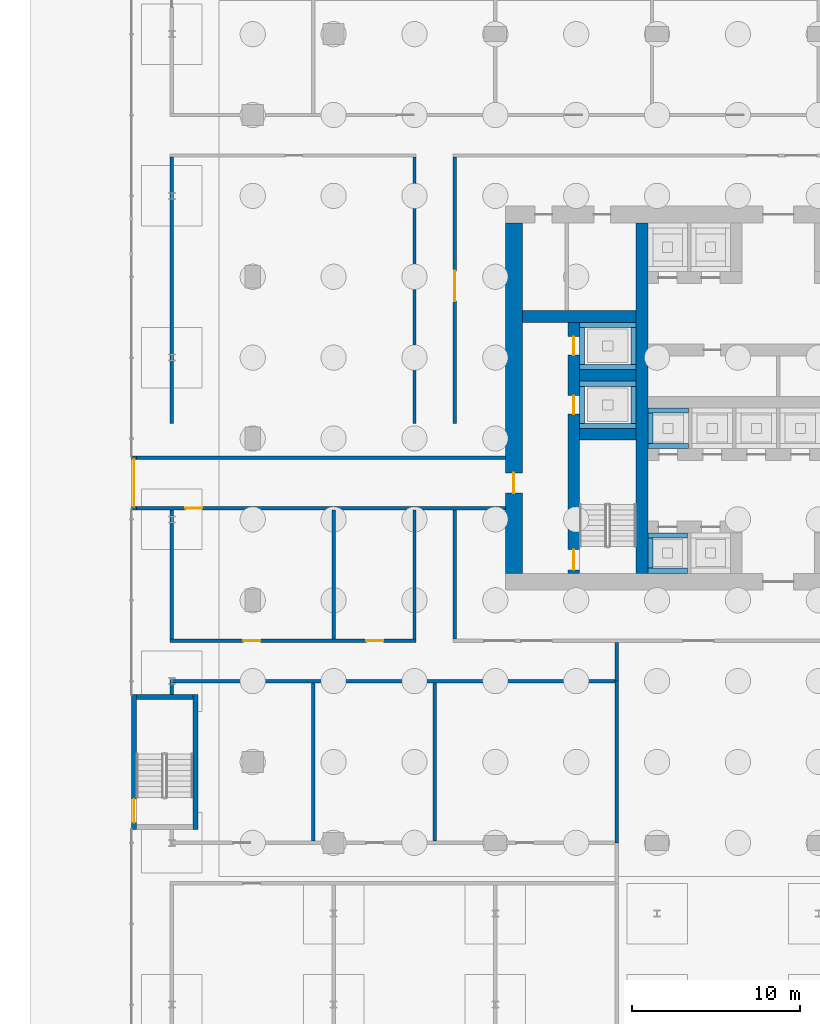
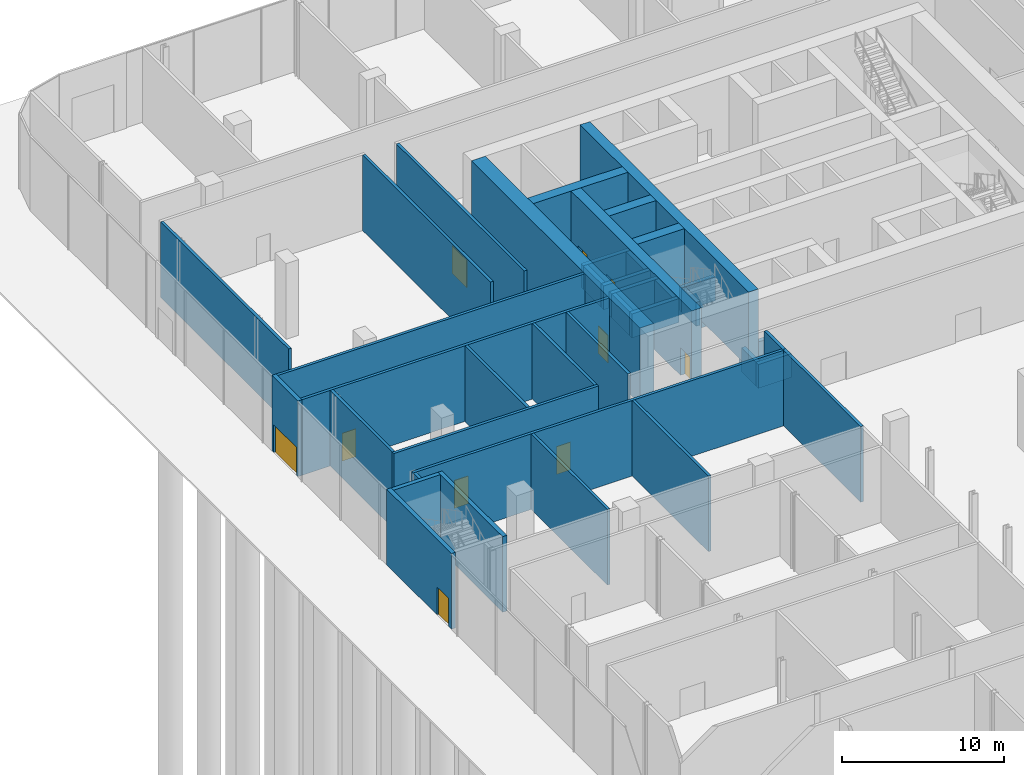
# One storey, part 32 of 44: 40 walls, 10 doors, 10 openings.
"""IFC4 building model written with IfcOpenShell, lengths in metres."""

from ifc_helpers import new_model, si_unit, direction, frame, frame_2d, origin, place, context, subcontext, project, spatial, rectangle, extrude, material, layer, layer_set, type_object, element, fill, save


model = new_model("IFC4")

# Units and contexts
model_context = context("Model", 3, precision=1e-05, world=origin(), true_north=direction((0.0, 1.0)))
body_context = subcontext(model_context, "Body", "Model", "MODEL_VIEW")
ifc_project = project(units=[si_unit("LENGTHUNIT", "METRE"), si_unit("AREAUNIT", "SQUARE_METRE"), si_unit("VOLUMEUNIT", "CUBIC_METRE"), si_unit("PLANEANGLEUNIT", "RADIAN"), si_unit("MASSUNIT", "GRAM", prefix="KILO")], contexts=[model_context])

# Site, building, storey
site_placement = place(None, origin())
site = spatial("IfcSite", under=ifc_project, at=site_placement, CompositionType="ELEMENT")
building_placement = place(site_placement, origin())
building = spatial("IfcBuilding", under=site, at=building_placement, Name="Madar Terraces", CompositionType="ELEMENT")
storey_placement = place(building_placement, origin())
storey = spatial("IfcBuildingStorey", under=building, at=storey_placement, Name="L00", CompositionType="ELEMENT", Elevation=0.0)

# Wall, openings, doors
ifc_material_1 = material(Name="Concrete C80/95", Category="concrete")
ifc_layer_1 = layer(ifc_material_1, 0.699951171875)
ifc_layer_set_1 = layer_set([ifc_layer_1], Name="Concrete C80/95 (CIW1 RC wall 700)")
wall_type_1 = type_object("IfcWallType", Name="CIW1 RC wall 700", PredefinedType="SHEAR", material=ifc_layer_set_1)
wall_1_placement = place(storey_placement, frame((19.050048828125, 16.0, 0.0), z_axis=(0.0, 0.0, 1.0), x_axis=(0.0, 1.0, 0.0)))
wall_1 = element("IfcWall", 1, at=wall_1_placement, inside=storey, type_object=wall_type_1, Name="CORE SHAFT WALL", PredefinedType="SHEAR", context=body_context, shape_type="SweptSolid", body=[
    extrude(rectangle(XDim=14.89990234375, YDim=0.699951171875, at=frame_2d((7.449951171875, 0.0))), origin(), (0.0, 0.0, 1.0), 5.699951171875),
])
opening_1_placement = place(wall_1_placement, frame((9.449951171875, 0.0, 0.0)))
opening_1 = element("IfcOpeningElement", 2, at=opening_1_placement, cuts=wall_1, Name="Opening LD", PredefinedType="OPENING", context=body_context, shape_type="SweptSolid", body=[
    extrude(rectangle(XDim=1.10009765625, YDim=2.10009765625, at=frame_2d((0.550048828125, 1.050048828125))), frame((0.0, 0.35986328125, 0.0), z_axis=(0.0, -1.0, 0.0), x_axis=(1.0, 0.0, 0.0)), (0.0, 0.0, 1.0), 0.719970703125),
])
opening_2_placement = place(wall_1_placement, frame((12.949951171875, 0.0, 0.0)))
opening_2 = element("IfcOpeningElement", 3, at=opening_2_placement, cuts=wall_1, Name="Opening LD", PredefinedType="OPENING", context=body_context, shape_type="SweptSolid", body=[
    extrude(rectangle(XDim=1.10009765625, YDim=2.10009765625, at=frame_2d((0.550048828125, 1.050048828125))), frame((0.0, 0.35986328125, 0.0), z_axis=(0.0, -1.0, 0.0), x_axis=(1.0, 0.0, 0.0)), (0.0, 0.0, 1.0), 0.719970703125),
])
opening_3_placement = place(wall_1_placement, frame((0.199951171875, 0.0, 0.0)))
opening_3 = element("IfcOpeningElement", 4, at=opening_3_placement, cuts=wall_1, Name="Opening SD1", PredefinedType="OPENING", context=body_context, shape_type="SweptSolid", body=[
    extrude(rectangle(XDim=1.199951171875, YDim=2.10009765625, at=frame_2d((0.60009765625, 1.050048828125))), frame((0.0, 0.35986328125, 0.0), z_axis=(0.0, -1.0, 0.0), x_axis=(1.0, 0.0, 0.0)), (0.0, 0.0, 1.0), 0.719970703125),
])
ifc_material_2 = material(Name="Stainless steel panel", Category="steel")
door_type_1 = type_object("IfcDoorType", Name="Lift landing door 1100 x 2100", OperationType="DOUBLE_DOOR_SLIDING", PredefinedType="DOOR", material=ifc_material_2)
door_1_placement = place(opening_1_placement, origin())
door_1 = element("IfcDoor", 5, at=door_1_placement, inside=storey, type_object=door_type_1, Name="LIFT LANDING DOOR", OperationType="DOUBLE_DOOR_SLIDING", OverallHeight=2.10009765625, OverallWidth=1.10009765625, PredefinedType="DOOR", context=body_context, shape_type="SweptSolid", body=[
    extrude(rectangle(XDim=1.10009765625, YDim=2.10009765625, at=frame_2d((0.550048828125, 1.050048828125))), frame((0.0, 0.02490234375, 0.0), z_axis=(0.0, -1.0, 0.0), x_axis=(1.0, 0.0, 0.0)), (0.0, 0.0, 1.0), 0.050048828125),
])
fill(opening_1, door_1)
door_2_placement = place(opening_2_placement, origin())
door_2 = element("IfcDoor", 6, at=door_2_placement, inside=storey, type_object=door_type_1, Name="LIFT LANDING DOOR", OperationType="DOUBLE_DOOR_SLIDING", OverallHeight=2.10009765625, OverallWidth=1.10009765625, PredefinedType="DOOR", context=body_context, shape_type="SweptSolid", body=[
    extrude(rectangle(XDim=1.10009765625, YDim=2.10009765625, at=frame_2d((0.550048828125, 1.050048828125))), frame((0.0, 0.02490234375, 0.0), z_axis=(0.0, -1.0, 0.0), x_axis=(1.0, 0.0, 0.0)), (0.0, 0.0, 1.0), 0.050048828125),
])
fill(opening_2, door_2)
ifc_material_3 = material(Name="Steel door leaf", Category="steel")
door_type_2 = type_object("IfcDoorType", Name="Stair door 1200 x 2100", OperationType="NOTDEFINED", PredefinedType="DOOR", material=ifc_material_3)
door_3_placement = place(opening_3_placement, origin())
door_3 = element("IfcDoor", 7, at=door_3_placement, inside=storey, type_object=door_type_2, Name="STAIR DOOR", OperationType="SINGLE_SWING_RIGHT", OverallHeight=2.10009765625, OverallWidth=1.199951171875, PredefinedType="DOOR", context=body_context, shape_type="SweptSolid", body=[
    extrude(rectangle(XDim=1.199951171875, YDim=2.10009765625, at=frame_2d((0.60009765625, 1.050048828125))), frame((0.0, 0.02490234375, 0.0), z_axis=(0.0, -1.0, 0.0), x_axis=(1.0, 0.0, 0.0)), (0.0, 0.0, 1.0), 0.050048828125),
])
fill(opening_3, door_3)

# Walls
wall_2_placement = place(storey_placement, frame((23.10009765625, 16.0, 0.0), z_axis=(0.0, 0.0, 1.0), x_axis=(0.0, 1.0, 0.0)))
element("IfcWall", 8, at=wall_2_placement, inside=storey, type_object=wall_type_1, Name="CORE SHAFT WALL", PredefinedType="SHEAR", context=body_context, shape_type="SweptSolid", body=[
    extrude(rectangle(XDim=20.800048828125, YDim=0.699951171875, at=frame_2d((10.39990234375, 0.0))), origin(), (0.0, 0.0, 1.0), 5.699951171875),
])
for number, where, z_axis, x_axis, name in (
    (9, (19.39990234375, 24.25, 0.0), (0.0, 0.0, 1.0), (1.0, 0.0, 0.0), "CORE SHAFT WALL"),
    (10, (19.39990234375, 27.75, 0.0), (0.0, 0.0, 1.0), (1.0, 0.0, 0.0), "CORE SHAFT WALL"),
):
    element("IfcWall", number, at=place(storey_placement, frame(where, z_axis=z_axis, x_axis=x_axis)), inside=storey, type_object=wall_type_1, Name=name, PredefinedType="SHEAR", context=body_context, shape_type="SweptSolid", body=[
        extrude(rectangle(XDim=3.35009765625, YDim=0.699951171875, at=frame_2d((1.675048828125, 0.0))), origin(), (0.0, 0.0, 1.0), 5.699951171875),
    ])
wall_3_placement = place(storey_placement, frame((16.0, 31.25, 0.0), z_axis=(0.0, 0.0, 1.0), x_axis=(1.0, 0.0, 0.0)))
element("IfcWall", 11, at=wall_3_placement, inside=storey, type_object=wall_type_1, Name="CORE SHAFT WALL", PredefinedType="SHEAR", context=body_context, shape_type="SweptSolid", body=[
    extrude(rectangle(XDim=6.75, YDim=0.699951171875, at=frame_2d((3.375, 0.0))), origin(), (0.0, 0.0, 1.0), 5.699951171875),
])

# Wall, opening, door
ifc_material_4 = material(Name="Concrete C80/95", Category="concrete")
ifc_layer_2 = layer(ifc_material_4, 1.0)
ifc_layer_set_2 = layer_set([ifc_layer_2], Name="Concrete C80/95 (CRW1 RC wall 1000)")
wall_type_2 = type_object("IfcWallType", Name="CRW1 RC wall 1000", PredefinedType="SHEAR", material=ifc_layer_set_2)
wall_4_placement = place(storey_placement, frame((15.5, 16.0, 0.0), z_axis=(0.0, 0.0, 1.0), x_axis=(0.0, 1.0, 0.0)))
wall_4 = element("IfcWall", 12, at=wall_4_placement, inside=storey, type_object=wall_type_2, Name="CORE OUTER WALL", PredefinedType="SHEAR", context=body_context, shape_type="SweptSolid", body=[
    extrude(rectangle(XDim=20.800048828125, YDim=1.0, at=frame_2d((10.39990234375, 0.0))), origin(), (0.0, 0.0, 1.0), 5.699951171875),
])
opening_4_placement = place(wall_4_placement, frame((4.760009765625, 0.0, 0.0)))
opening_4 = element("IfcOpeningElement", 13, at=opening_4_placement, cuts=wall_4, Name="Opening SD1", PredefinedType="OPENING", context=body_context, shape_type="SweptSolid", body=[
    extrude(rectangle(XDim=1.199951171875, YDim=2.10009765625, at=frame_2d((0.60009765625, 1.050048828125))), frame((0.0, 0.510009765625, 0.0), z_axis=(0.0, -1.0, 0.0), x_axis=(1.0, 0.0, 0.0)), (0.0, 0.0, 1.0), 1.02001953125),
])
door_4_placement = place(opening_4_placement, origin())
door_4 = element("IfcDoor", 14, at=door_4_placement, inside=storey, type_object=door_type_2, Name="STAIR DOOR", OperationType="SINGLE_SWING_LEFT", OverallHeight=2.10009765625, OverallWidth=1.199951171875, PredefinedType="DOOR", context=body_context, shape_type="SweptSolid", body=[
    extrude(rectangle(XDim=1.199951171875, YDim=2.10009765625, at=frame_2d((0.60009765625, 1.050048828125))), frame((0.0, 0.02490234375, 0.0), z_axis=(0.0, -1.0, 0.0), x_axis=(1.0, 0.0, 0.0)), (0.0, 0.0, 1.0), 0.050048828125),
])
fill(opening_4, door_4)

ifc_material_5 = material(Name="Concrete C40/50", Category="concrete")
ifc_layer_3 = layer(ifc_material_5, 0.300048828125)
ifc_layer_set_3 = layer_set([ifc_layer_3], Name="Exit passage end wall 300 C40/50")
wall_type_3 = type_object("IfcWallType", Name="Exit passage end wall 300 C40/50", PredefinedType="SOLIDWALL", material=ifc_layer_set_3)
wall_5_placement = place(storey_placement, frame((-7.050048828125, 19.760009765625, 0.0), z_axis=(0.0, 0.0, 1.0), x_axis=(0.0, 1.0, 0.0)))
wall_5 = element("IfcWall", 15, at=wall_5_placement, inside=storey, type_object=wall_type_3, Name="EXIT PASSAGE END WALL", PredefinedType="SOLIDWALL", context=body_context, shape_type="SweptSolid", body=[
    extrude(rectangle(XDim=3.199951171875, YDim=0.300048828125, at=frame_2d((1.60009765625, 0.0))), origin(), (0.0, 0.0, 1.0), 5.699951171875),
])
opening_5_placement = place(wall_5_placement, frame((0.199951171875, 0.0, 0.0)))
opening_5 = element("IfcOpeningElement", 16, at=opening_5_placement, cuts=wall_5, Name="Opening XD1", PredefinedType="OPENING", context=body_context, shape_type="SweptSolid", body=[
    extrude(rectangle(XDim=2.800048828125, YDim=2.10009765625, at=frame_2d((1.39990234375, 1.050048828125))), frame((0.0, 0.159912109375, 0.0), z_axis=(0.0, -1.0, 0.0), x_axis=(1.0, 0.0, 0.0)), (0.0, 0.0, 1.0), 0.320068359375),
])
ifc_material_6 = material(Name="Steel door leaf", Category="steel")
door_type_3 = type_object("IfcDoorType", Name="Exit passage door pair 2800 x 2100", OperationType="DOUBLE_DOOR_SINGLE_SWING", PredefinedType="DOOR", material=ifc_material_6)
door_5_placement = place(opening_5_placement, origin())
door_5 = element("IfcDoor", 17, at=door_5_placement, inside=storey, type_object=door_type_3, Name="EXIT DOOR", OperationType="DOUBLE_DOOR_SINGLE_SWING", OverallHeight=2.10009765625, OverallWidth=2.800048828125, PredefinedType="DOOR", context=body_context, shape_type="SweptSolid", body=[
    extrude(rectangle(XDim=2.800048828125, YDim=2.10009765625, at=frame_2d((1.39990234375, 1.050048828125))), frame((0.0, 0.02490234375, 0.0), z_axis=(0.0, -1.0, 0.0), x_axis=(1.0, 0.0, 0.0)), (0.0, 0.0, 1.0), 0.050048828125),
])
fill(opening_5, door_5)

ifc_material_7 = material(Name="Masonry blockwork", Category="masonry")
ifc_layer_4 = layer(ifc_material_7, 0.199951171875)
ifc_layer_set_4 = layer_set([ifc_layer_4], Name="Exit passage wall 200 blockwork")
wall_type_4 = type_object("IfcWallType", Name="Exit passage wall 200 blockwork", PredefinedType="PARTITIONING", material=ifc_layer_set_4)
wall_6_placement = place(storey_placement, frame((-6.89990234375, 19.860107421875, 0.0), z_axis=(0.0, 0.0, 1.0), x_axis=(1.0, 0.0, 0.0)))
wall_6 = element("IfcWall", 18, at=wall_6_placement, inside=storey, type_object=wall_type_4, Name="EXIT PASSAGE WALL", PredefinedType="PARTITIONING", context=body_context, shape_type="SweptSolid", body=[
    extrude(rectangle(XDim=21.89990234375, YDim=0.199951171875, at=frame_2d((10.949951171875, 0.0))), origin(), (0.0, 0.0, 1.0), 5.699951171875),
])
opening_6_placement = place(wall_6_placement, frame((2.89990234375, 0.0, 0.0)))
opening_6 = element("IfcOpeningElement", 19, at=opening_6_placement, cuts=wall_6, Name="Opening KD2", PredefinedType="OPENING", context=body_context, shape_type="SweptSolid", body=[
    extrude(rectangle(XDim=1.0, YDim=2.10009765625, at=frame_2d((0.5, 1.050048828125))), frame((0.0, 0.10986328125, 0.0), z_axis=(0.0, -1.0, 0.0), x_axis=(1.0, 0.0, 0.0)), (0.0, 0.0, 1.0), 0.219970703125),
])
ifc_material_8 = material(Name="Steel door leaf", Category="steel")
door_type_4 = type_object("IfcDoorType", Name="Service room door 1000 x 2100", OperationType="NOTDEFINED", PredefinedType="DOOR", material=ifc_material_8)
door_6_placement = place(opening_6_placement, origin())
door_6 = element("IfcDoor", 20, at=door_6_placement, inside=storey, type_object=door_type_4, Name="SERVICE ROOM DOOR", OperationType="SINGLE_SWING_LEFT", OverallHeight=2.10009765625, OverallWidth=1.0, PredefinedType="DOOR", context=body_context, shape_type="SweptSolid", body=[
    extrude(rectangle(XDim=1.0, YDim=2.10009765625, at=frame_2d((0.5, 1.050048828125))), frame((0.0, 0.02490234375, 0.0), z_axis=(0.0, -1.0, 0.0), x_axis=(1.0, 0.0, 0.0)), (0.0, 0.0, 1.0), 0.050048828125),
])
fill(opening_6, door_6)

# Walls
wall_7_placement = place(storey_placement, frame((-6.89990234375, 22.860107421875, 0.0), z_axis=(0.0, 0.0, 1.0), x_axis=(1.0, 0.0, 0.0)))
element("IfcWall", 21, at=wall_7_placement, inside=storey, type_object=wall_type_4, Name="EXIT PASSAGE WALL", PredefinedType="PARTITIONING", context=body_context, shape_type="SweptSolid", body=[
    extrude(rectangle(XDim=21.89990234375, YDim=0.199951171875, at=frame_2d((10.949951171875, 0.0))), origin(), (0.0, 0.0, 1.0), 5.699951171875),
])
ifc_material_9 = material(Name="Concrete C40/50", Category="concrete")
ifc_layer_5 = layer(ifc_material_9, 0.300048828125)
ifc_layer_set_5 = layer_set([ifc_layer_5], Name="Lift pit wall 300 C40/50")
wall_type_5 = type_object("IfcWallType", Name="Lift pit wall 300 C40/50", PredefinedType="SOLIDWALL", material=ifc_layer_set_5)
for number, where, z_axis, x_axis, name in (
    (22, (23.449951171875, 16.14990234375, -1.800048828125), (0.0, 0.0, 1.0), (1.0, 0.0, 0.0), "LIFT PIT WALL LR1"),
    (23, (23.449951171875, 18.25, -1.800048828125), (0.0, 0.0, 1.0), (1.0, 0.0, 0.0), "LIFT PIT WALL LR1"),
):
    element("IfcWall", number, at=place(storey_placement, frame(where, z_axis=z_axis, x_axis=x_axis)), inside=storey, type_object=wall_type_5, Name=name, PredefinedType="SOLIDWALL", context=body_context, shape_type="SweptSolid", body=[
        extrude(rectangle(XDim=2.35009765625, YDim=0.300048828125, at=frame_2d((1.175048828125, 0.0))), origin(), (0.0, 0.0, 1.0), 1.800048828125),
    ])
wall_8_placement = place(storey_placement, frame((23.60009765625, 16.300048828125, -1.800048828125), z_axis=(0.0, 0.0, 1.0), x_axis=(0.0, 1.0, 0.0)))
element("IfcWall", 24, at=wall_8_placement, inside=storey, type_object=wall_type_5, Name="LIFT PIT WALL LR1", PredefinedType="SOLIDWALL", context=body_context, shape_type="SweptSolid", body=[
    extrude(rectangle(XDim=1.800048828125, YDim=0.300048828125, at=frame_2d((0.89990234375, 0.0))), origin(), (0.0, 0.0, 1.0), 1.800048828125),
])
for number, where, z_axis, x_axis, name in (
    (25, (23.449951171875, 23.550048828125, -1.800048828125), (0.0, 0.0, 1.0), (1.0, 0.0, 0.0), "LIFT PIT WALL LR5"),
    (26, (23.449951171875, 25.64990234375, -1.800048828125), (0.0, 0.0, 1.0), (1.0, 0.0, 0.0), "LIFT PIT WALL LR5"),
):
    element("IfcWall", number, at=place(storey_placement, frame(where, z_axis=z_axis, x_axis=x_axis)), inside=storey, type_object=wall_type_5, Name=name, PredefinedType="SOLIDWALL", context=body_context, shape_type="SweptSolid", body=[
        extrude(rectangle(XDim=2.416748046875, YDim=0.300048828125, at=frame_2d((1.20849609375, 0.0))), origin(), (0.0, 0.0, 1.0), 1.800048828125),
    ])
wall_9_placement = place(storey_placement, frame((23.60009765625, 23.699951171875, -1.800048828125), z_axis=(0.0, 0.0, 1.0), x_axis=(0.0, 1.0, 0.0)))
element("IfcWall", 27, at=wall_9_placement, inside=storey, type_object=wall_type_5, Name="LIFT PIT WALL LR5", PredefinedType="SOLIDWALL", context=body_context, shape_type="SweptSolid", body=[
    extrude(rectangle(XDim=1.800048828125, YDim=0.300048828125, at=frame_2d((0.89990234375, 0.0))), origin(), (0.0, 0.0, 1.0), 1.800048828125),
])
for number, where, z_axis, x_axis, name in (
    (28, (19.39990234375, 24.75, -1.800048828125), (0.0, 0.0, 1.0), (1.0, 0.0, 0.0), "LIFT PIT WALL FF1"),
    (29, (19.39990234375, 27.25, -1.800048828125), (0.0, 0.0, 1.0), (1.0, 0.0, 0.0), "LIFT PIT WALL FF1"),
):
    element("IfcWall", number, at=place(storey_placement, frame(where, z_axis=z_axis, x_axis=x_axis)), inside=storey, type_object=wall_type_5, Name=name, PredefinedType="SOLIDWALL", context=body_context, shape_type="SweptSolid", body=[
        extrude(rectangle(XDim=3.35009765625, YDim=0.300048828125, at=frame_2d((1.675048828125, 0.0))), origin(), (0.0, 0.0, 1.0), 1.800048828125),
    ])
for number, where, z_axis, x_axis, name in (
    (30, (19.550048828125, 24.89990234375, -1.800048828125), (0.0, 0.0, 1.0), (0.0, 1.0, 0.0), "LIFT PIT WALL FF1"),
    (31, (22.60009765625, 24.89990234375, -1.800048828125), (0.0, 0.0, 1.0), (0.0, 1.0, 0.0), "LIFT PIT WALL FF1"),
):
    element("IfcWall", number, at=place(storey_placement, frame(where, z_axis=z_axis, x_axis=x_axis)), inside=storey, type_object=wall_type_5, Name=name, PredefinedType="SOLIDWALL", context=body_context, shape_type="SweptSolid", body=[
        extrude(rectangle(XDim=2.2001953125, YDim=0.300048828125, at=frame_2d((1.10009765625, 0.0))), origin(), (0.0, 0.0, 1.0), 1.800048828125),
    ])
for number, where, z_axis, x_axis, name in (
    (32, (19.39990234375, 28.25, -1.800048828125), (0.0, 0.0, 1.0), (1.0, 0.0, 0.0), "LIFT PIT WALL FF2"),
    (33, (19.39990234375, 30.75, -1.800048828125), (0.0, 0.0, 1.0), (1.0, 0.0, 0.0), "LIFT PIT WALL FF2"),
):
    element("IfcWall", number, at=place(storey_placement, frame(where, z_axis=z_axis, x_axis=x_axis)), inside=storey, type_object=wall_type_5, Name=name, PredefinedType="SOLIDWALL", context=body_context, shape_type="SweptSolid", body=[
        extrude(rectangle(XDim=3.35009765625, YDim=0.300048828125, at=frame_2d((1.675048828125, 0.0))), origin(), (0.0, 0.0, 1.0), 1.800048828125),
    ])
for number, where, z_axis, x_axis, name in (
    (34, (19.550048828125, 28.39990234375, -1.800048828125), (0.0, 0.0, 1.0), (0.0, 1.0, 0.0), "LIFT PIT WALL FF2"),
    (35, (22.60009765625, 28.39990234375, -1.800048828125), (0.0, 0.0, 1.0), (0.0, 1.0, 0.0), "LIFT PIT WALL FF2"),
):
    element("IfcWall", number, at=place(storey_placement, frame(where, z_axis=z_axis, x_axis=x_axis)), inside=storey, type_object=wall_type_5, Name=name, PredefinedType="SOLIDWALL", context=body_context, shape_type="SweptSolid", body=[
        extrude(rectangle(XDim=2.2001953125, YDim=0.300048828125, at=frame_2d((1.10009765625, 0.0))), origin(), (0.0, 0.0, 1.0), 1.800048828125),
    ])
ifc_material_10 = material(Name="Gypsum board partition, fire-rated")
ifc_layer_6 = layer(ifc_material_10, 0.199951171875)
ifc_layer_set_6 = layer_set([ifc_layer_6], Name="Partition 200 EI 60")
wall_type_6 = type_object("IfcWallType", Name="Partition 200 EI 60", PredefinedType="PARTITIONING", material=ifc_layer_set_6)
wall_10_placement = place(storey_placement, frame((-4.89990234375, 9.60009765625, 0.0), z_axis=(0.0, 0.0, 1.0), x_axis=(1.0, 0.0, 0.0)))
element("IfcWall", 36, at=wall_10_placement, inside=storey, type_object=wall_type_6, Name="Wall HEALTH CENTRE RECEPTION + HEALTH CENTRE WAITING AREA", PredefinedType="PARTITIONING", context=body_context, shape_type="SweptSolid", body=[
    extrude(rectangle(XDim=26.39990234375, YDim=0.199951171875, at=frame_2d((13.199951171875, 0.0))), origin(), (0.0, 0.0, 1.0), 5.699951171875),
])

# Wall, openings, doors
wall_11_placement = place(storey_placement, frame((-4.89990234375, 12.0, 0.0), z_axis=(0.0, 0.0, 1.0), x_axis=(1.0, 0.0, 0.0)))
wall_11 = element("IfcWall", 37, at=wall_11_placement, inside=storey, type_object=wall_type_6, Name="Wall BICYCLE STORE + FIRE COMMAND CENTRE", PredefinedType="PARTITIONING", context=body_context, shape_type="SweptSolid", body=[
    extrude(rectangle(XDim=14.599853515625, YDim=0.199951171875, at=frame_2d((7.2998046875, 0.0))), origin(), (0.0, 0.0, 1.0), 5.699951171875),
])
opening_7_placement = place(wall_11_placement, frame((11.64990234375, 0.0, 0.0)))
opening_7 = element("IfcOpeningElement", 38, at=opening_7_placement, cuts=wall_11, Name="Opening D31", PredefinedType="OPENING", context=body_context, shape_type="SweptSolid", body=[
    extrude(rectangle(XDim=1.0, YDim=2.10009765625, at=frame_2d((0.5, 1.050048828125))), frame((0.0, 0.10986328125, 0.0), z_axis=(0.0, -1.0, 0.0), x_axis=(1.0, 0.0, 0.0)), (0.0, 0.0, 1.0), 0.219970703125),
])
opening_8_placement = place(wall_11_placement, frame((4.35009765625, 0.0, 0.0)))
opening_8 = element("IfcOpeningElement", 39, at=opening_8_placement, cuts=wall_11, Name="Opening D31", PredefinedType="OPENING", context=body_context, shape_type="SweptSolid", body=[
    extrude(rectangle(XDim=1.0, YDim=2.10009765625, at=frame_2d((0.5, 1.050048828125))), frame((0.0, 0.10986328125, 0.0), z_axis=(0.0, -1.0, 0.0), x_axis=(1.0, 0.0, 0.0)), (0.0, 0.0, 1.0), 0.219970703125),
])
ifc_material_11 = material(Name="Timber door leaf, fire-rated", Category="wood")
door_type_5 = type_object("IfcDoorType", Name="Podium door 1000 x 2100 FD30S", OperationType="NOTDEFINED", PredefinedType="DOOR", material=ifc_material_11)
door_7_placement = place(opening_7_placement, origin())
door_7 = element("IfcDoor", 40, at=door_7_placement, inside=storey, type_object=door_type_5, Name="Door FIRE COMMAND CENTRE / PODIUM CORRIDOR", OperationType="SINGLE_SWING_RIGHT", OverallHeight=2.10009765625, OverallWidth=1.0, PredefinedType="DOOR", context=body_context, shape_type="SweptSolid", body=[
    extrude(rectangle(XDim=1.0, YDim=2.10009765625, at=frame_2d((0.5, 1.050048828125))), frame((0.0, 0.02490234375, 0.0), z_axis=(0.0, -1.0, 0.0), x_axis=(1.0, 0.0, 0.0)), (0.0, 0.0, 1.0), 0.050048828125),
])
fill(opening_7, door_7)
door_8_placement = place(opening_8_placement, origin())
door_8 = element("IfcDoor", 41, at=door_8_placement, inside=storey, type_object=door_type_5, Name="Door BICYCLE STORE / PODIUM CORRIDOR", OperationType="SINGLE_SWING_LEFT", OverallHeight=2.10009765625, OverallWidth=1.0, PredefinedType="DOOR", context=body_context, shape_type="SweptSolid", body=[
    extrude(rectangle(XDim=1.0, YDim=2.10009765625, at=frame_2d((0.5, 1.050048828125))), frame((0.0, 0.02490234375, 0.0), z_axis=(0.0, -1.0, 0.0), x_axis=(1.0, 0.0, 0.0)), (0.0, 0.0, 1.0), 0.050048828125),
])
fill(opening_8, door_8)

# Walls
wall_12_placement = place(storey_placement, frame((-4.800048828125, 8.800048828125, 0.0), z_axis=(0.0, 0.0, 1.0), x_axis=(0.0, 1.0, 0.0)))
element("IfcWall", 42, at=wall_12_placement, inside=storey, type_object=wall_type_6, Name="Wall HEALTH CENTRE RECEPTION / PODIUM CORRIDOR", PredefinedType="PARTITIONING", context=body_context, shape_type="SweptSolid", body=[
    extrude(rectangle(XDim=0.699951171875, YDim=0.199951171875, at=frame_2d((0.35009765625, 0.0))), origin(), (0.0, 0.0, 1.0), 5.699951171875),
])
wall_13_placement = place(storey_placement, frame((-4.800048828125, 12.10009765625, 0.0), z_axis=(0.0, 0.0, 1.0), x_axis=(0.0, 1.0, 0.0)))
element("IfcWall", 43, at=wall_13_placement, inside=storey, type_object=wall_type_6, Name="Wall BICYCLE STORE / PODIUM CORRIDOR", PredefinedType="PARTITIONING", context=body_context, shape_type="SweptSolid", body=[
    extrude(rectangle(XDim=7.659912109375, YDim=0.199951171875, at=frame_2d((3.830078125, 0.0))), origin(), (0.0, 0.0, 1.0), 5.699951171875),
])
wall_14_placement = place(storey_placement, frame((-4.800048828125, 24.89990234375, 0.0), z_axis=(0.0, 0.0, 1.0), x_axis=(0.0, 1.0, 0.0)))
element("IfcWall", 44, at=wall_14_placement, inside=storey, type_object=wall_type_6, Name="Wall OFFICE / PODIUM CORRIDOR", PredefinedType="PARTITIONING", context=body_context, shape_type="SweptSolid", body=[
    extrude(rectangle(XDim=15.800048828125, YDim=0.199951171875, at=frame_2d((7.89990234375, 0.0))), origin(), (0.0, 0.0, 1.0), 5.699951171875),
])
wall_15_placement = place(storey_placement, frame((3.60009765625, 0.10009765625, 0.0), z_axis=(0.0, 0.0, 1.0), x_axis=(0.0, 1.0, 0.0)))
element("IfcWall", 45, at=wall_15_placement, inside=storey, type_object=wall_type_6, Name="Wall HEALTH CENTRE RECEPTION / HEALTH CENTRE WAITING AREA", PredefinedType="PARTITIONING", context=body_context, shape_type="SweptSolid", body=[
    extrude(rectangle(XDim=9.39990234375, YDim=0.199951171875, at=frame_2d((4.699951171875, 0.0))), origin(), (0.0, 0.0, 1.0), 5.699951171875),
])
for number, where, z_axis, x_axis, name in (
    (46, (4.800048828125, 12.10009765625, 0.0), (0.0, 0.0, 1.0), (0.0, 1.0, 0.0), "Wall FIRE COMMAND CENTRE / BICYCLE STORE"),
    (47, (9.60009765625, 12.10009765625, 0.0), (0.0, 0.0, 1.0), (0.0, 1.0, 0.0), "Wall FIRE COMMAND CENTRE / PODIUM CORRIDOR"),
):
    element("IfcWall", number, at=place(storey_placement, frame(where, z_axis=z_axis, x_axis=x_axis)), inside=storey, type_object=wall_type_6, Name=name, PredefinedType="PARTITIONING", context=body_context, shape_type="SweptSolid", body=[
        extrude(rectangle(XDim=7.659912109375, YDim=0.199951171875, at=frame_2d((3.830078125, 0.0))), origin(), (0.0, 0.0, 1.0), 5.699951171875),
    ])
wall_16_placement = place(storey_placement, frame((9.60009765625, 24.89990234375, 0.0), z_axis=(0.0, 0.0, 1.0), x_axis=(0.0, 1.0, 0.0)))
element("IfcWall", 48, at=wall_16_placement, inside=storey, type_object=wall_type_6, Name="Wall OFFICE / PODIUM CORRIDOR", PredefinedType="PARTITIONING", context=body_context, shape_type="SweptSolid", body=[
    extrude(rectangle(XDim=15.800048828125, YDim=0.199951171875, at=frame_2d((7.89990234375, 0.0))), origin(), (0.0, 0.0, 1.0), 5.699951171875),
])
wall_17_placement = place(storey_placement, frame((10.800048828125, 0.10009765625, 0.0), z_axis=(0.0, 0.0, 1.0), x_axis=(0.0, 1.0, 0.0)))
element("IfcWall", 49, at=wall_17_placement, inside=storey, type_object=wall_type_6, Name="Wall HEALTH CENTRE WAITING AREA / PHARMACY", PredefinedType="PARTITIONING", context=body_context, shape_type="SweptSolid", body=[
    extrude(rectangle(XDim=9.39990234375, YDim=0.199951171875, at=frame_2d((4.699951171875, 0.0))), origin(), (0.0, 0.0, 1.0), 5.699951171875),
])
wall_18_placement = place(storey_placement, frame((12.0, 12.10009765625, 0.0), z_axis=(0.0, 0.0, 1.0), x_axis=(0.0, 1.0, 0.0)))
element("IfcWall", 50, at=wall_18_placement, inside=storey, type_object=wall_type_6, Name="Wall PODIUM CORRIDOR / RING CORRIDOR", PredefinedType="PARTITIONING", context=body_context, shape_type="SweptSolid", body=[
    extrude(rectangle(XDim=7.659912109375, YDim=0.199951171875, at=frame_2d((3.830078125, 0.0))), origin(), (0.0, 0.0, 1.0), 5.699951171875),
])

# Wall, opening, door
wall_19_placement = place(storey_placement, frame((12.0, 40.699951171875, 0.0), z_axis=(0.0, 0.0, 1.0), x_axis=(0.0, -1.0, 0.0)))
wall_19 = element("IfcWall", 51, at=wall_19_placement, inside=storey, type_object=wall_type_6, Name="Wall PODIUM CORRIDOR / RING CORRIDOR", PredefinedType="PARTITIONING", context=body_context, shape_type="SweptSolid", body=[
    extrude(rectangle(XDim=15.800048828125, YDim=0.199951171875, at=frame_2d((7.89990234375, 0.0))), origin(), (0.0, 0.0, 1.0), 5.699951171875),
])
opening_9_placement = place(wall_19_placement, frame((6.75, 0.0, 0.0)))
opening_9 = element("IfcOpeningElement", 52, at=opening_9_placement, cuts=wall_19, Name="Opening D30", PredefinedType="OPENING", context=body_context, shape_type="SweptSolid", body=[
    extrude(rectangle(XDim=1.800048828125, YDim=2.10009765625, at=frame_2d((0.89990234375, 1.050048828125))), frame((0.0, 0.10986328125, 0.0), z_axis=(0.0, -1.0, 0.0), x_axis=(1.0, 0.0, 0.0)), (0.0, 0.0, 1.0), 0.219970703125),
])
ifc_material_12 = material(Name="Timber door leaf, fire-rated", Category="wood")
door_type_6 = type_object("IfcDoorType", Name="Podium double door 1800 x 2100 FD30S", OperationType="DOUBLE_DOOR_SINGLE_SWING", PredefinedType="DOOR", material=ifc_material_12)
door_9_placement = place(opening_9_placement, origin())
door_9 = element("IfcDoor", 53, at=door_9_placement, inside=storey, type_object=door_type_6, Name="Door PODIUM CORRIDOR / RING CORRIDOR", OperationType="DOUBLE_DOOR_SINGLE_SWING", OverallHeight=2.10009765625, OverallWidth=1.800048828125, PredefinedType="DOOR", context=body_context, shape_type="SweptSolid", body=[
    extrude(rectangle(XDim=1.800048828125, YDim=2.10009765625, at=frame_2d((0.89990234375, 1.050048828125))), frame((0.0, 0.02490234375, 0.0), z_axis=(0.0, -1.0, 0.0), x_axis=(1.0, 0.0, 0.0)), (0.0, 0.0, 1.0), 0.050048828125),
])
fill(opening_9, door_9)

# Walls
wall_20_placement = place(storey_placement, frame((21.60009765625, 0.0, 0.0), z_axis=(0.0, 0.0, 1.0), x_axis=(0.0, 1.0, 0.0)))
element("IfcWall", 54, at=wall_20_placement, inside=storey, type_object=wall_type_6, Name="Wall PHARMACY / ENTRANCE HALL", PredefinedType="PARTITIONING", context=body_context, shape_type="SweptSolid", body=[
    extrude(rectangle(XDim=9.60009765625, YDim=0.199951171875, at=frame_2d((4.800048828125, 0.0))), origin(), (0.0, 0.0, 1.0), 5.699951171875),
])
wall_21_placement = place(storey_placement, frame((21.60009765625, 9.60009765625, 0.0), z_axis=(0.0, 0.0, 1.0), x_axis=(0.0, 1.0, 0.0)))
element("IfcWall", 55, at=wall_21_placement, inside=storey, type_object=wall_type_6, Name="Wall ENTRANCE HALL / PODIUM CORRIDOR", PredefinedType="PARTITIONING", context=body_context, shape_type="SweptSolid", body=[
    extrude(rectangle(XDim=2.2998046875, YDim=0.199951171875, at=frame_2d((1.14990234375, 0.0))), origin(), (0.0, 0.0, 1.0), 5.699951171875),
])
ifc_material_13 = material(Name="Concrete C40/50", Category="concrete")
ifc_layer_7 = layer(ifc_material_13, 0.300048828125)
ifc_layer_set_7 = layer_set([ifc_layer_7], Name="Podium stair wall 300 C40/50")
wall_type_7 = type_object("IfcWallType", Name="Podium stair wall 300 C40/50", PredefinedType="SOLIDWALL", material=ifc_layer_set_7)
wall_22_placement = place(storey_placement, frame((-3.39990234375, 0.800048828125, 0.0), z_axis=(0.0, 0.0, 1.0), x_axis=(0.0, 1.0, 0.0)))
element("IfcWall", 56, at=wall_22_placement, inside=storey, type_object=wall_type_7, Name="PODIUM STAIR WALL", PredefinedType="SOLIDWALL", context=body_context, shape_type="SweptSolid", body=[
    extrude(rectangle(XDim=8.0, YDim=0.300048828125, at=frame_2d((4.0, 0.0))), origin(), (0.0, 0.0, 1.0), 5.699951171875),
])
wall_23_placement = place(storey_placement, frame((-6.89990234375, 8.64990234375, 0.0), z_axis=(0.0, 0.0, 1.0), x_axis=(1.0, 0.0, 0.0)))
element("IfcWall", 57, at=wall_23_placement, inside=storey, type_object=wall_type_7, Name="PODIUM STAIR WALL", PredefinedType="SOLIDWALL", context=body_context, shape_type="SweptSolid", body=[
    extrude(rectangle(XDim=3.349853515625, YDim=0.300048828125, at=frame_2d((1.6748046875, 0.0))), origin(), (0.0, 0.0, 1.0), 5.699951171875),
])

# Wall, opening, door
ifc_material_14 = material(Name="Concrete C40/50", Category="concrete")
ifc_layer_8 = layer(ifc_material_14, 0.300048828125)
ifc_layer_set_8 = layer_set([ifc_layer_8], Name="Podium stair wall 300 C40/50, external")
wall_type_8 = type_object("IfcWallType", Name="Podium stair wall 300 C40/50, external", PredefinedType="SOLIDWALL", material=ifc_layer_set_8)
wall_24_placement = place(storey_placement, frame((-7.050048828125, 0.800048828125, 0.0), z_axis=(0.0, 0.0, 1.0), x_axis=(0.0, 1.0, 0.0)))
wall_24 = element("IfcWall", 58, at=wall_24_placement, inside=storey, type_object=wall_type_8, Name="PODIUM STAIR WALL", PredefinedType="SOLIDWALL", context=body_context, shape_type="SweptSolid", body=[
    extrude(rectangle(XDim=8.0, YDim=0.300048828125, at=frame_2d((4.0, 0.0))), origin(), (0.0, 0.0, 1.0), 5.699951171875),
])
opening_10_placement = place(wall_24_placement, frame((0.39990234375, 0.0, 0.0)))
opening_10 = element("IfcOpeningElement", 59, at=opening_10_placement, cuts=wall_24, Name="Opening PSD2", PredefinedType="OPENING", context=body_context, shape_type="SweptSolid", body=[
    extrude(rectangle(XDim=1.39990234375, YDim=2.10009765625, at=frame_2d((0.699951171875, 1.050048828125))), frame((0.0, 0.159912109375, 0.0), z_axis=(0.0, -1.0, 0.0), x_axis=(1.0, 0.0, 0.0)), (0.0, 0.0, 1.0), 0.320068359375),
])
ifc_material_15 = material(Name="Steel door leaf", Category="steel")
door_type_7 = type_object("IfcDoorType", Name="Podium stair exit door pair 1400 x 2100", OperationType="DOUBLE_DOOR_SINGLE_SWING", PredefinedType="DOOR", material=ifc_material_15)
door_10_placement = place(opening_10_placement, origin())
door_10 = element("IfcDoor", 60, at=door_10_placement, inside=storey, type_object=door_type_7, Name="STAIR EXIT DOOR", OperationType="DOUBLE_DOOR_SINGLE_SWING", OverallHeight=2.10009765625, OverallWidth=1.39990234375, PredefinedType="DOOR", context=body_context, shape_type="SweptSolid", body=[
    extrude(rectangle(XDim=1.39990234375, YDim=2.10009765625, at=frame_2d((0.699951171875, 1.050048828125))), frame((0.0, 0.02490234375, 0.0), z_axis=(0.0, -1.0, 0.0), x_axis=(1.0, 0.0, 0.0)), (0.0, 0.0, 1.0), 0.050048828125),
])
fill(opening_10, door_10)

save(model, "model.ifc")
